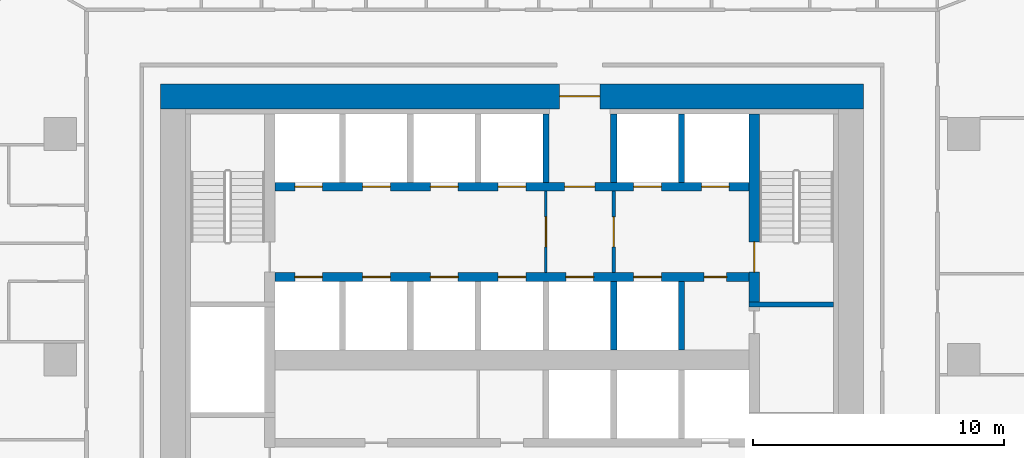
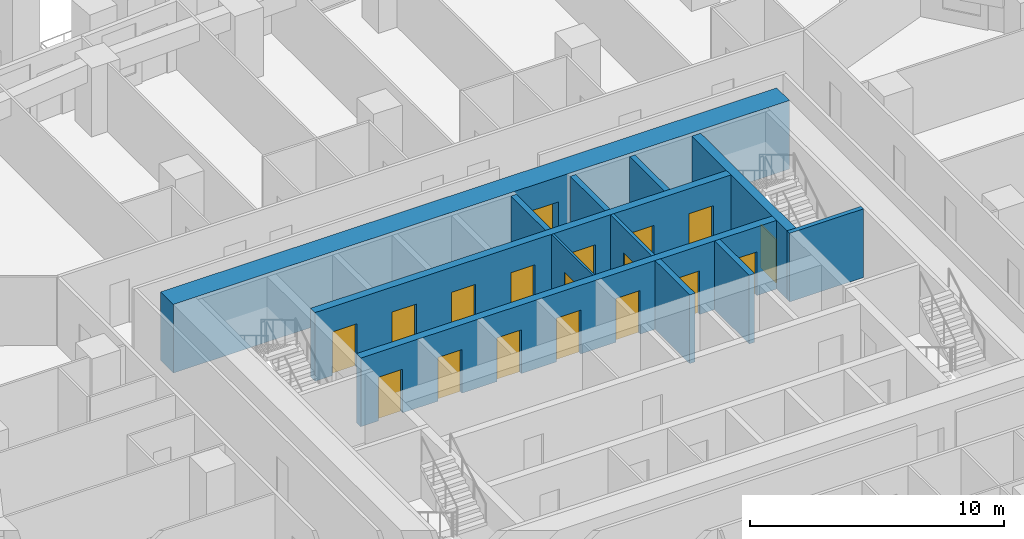
# One storey, part 16 of 24: 18 doors, 12 walls, 18 openings.
"""IFC4 building model written with IfcOpenShell, lengths in metres."""

from ifc_helpers import new_model, si_unit, direction, frame, frame_2d, origin, place, context, subcontext, project, spatial, rectangle, extrude, material, layer, layer_set, type_object, element, fill, save


model = new_model("IFC4")

# Units and contexts
model_context = context("Model", 3, precision=1e-05, world=origin(), true_north=direction((0.0, 1.0)))
body_context = subcontext(model_context, "Body", "Model", "MODEL_VIEW")
ifc_project = project(units=[si_unit("LENGTHUNIT", "METRE"), si_unit("AREAUNIT", "SQUARE_METRE"), si_unit("VOLUMEUNIT", "CUBIC_METRE"), si_unit("PLANEANGLEUNIT", "RADIAN"), si_unit("MASSUNIT", "GRAM", prefix="KILO")], contexts=[model_context])

# Site, building, storey
site_placement = place(None, origin())
site = spatial("IfcSite", under=ifc_project, at=site_placement, CompositionType="ELEMENT")
building_placement = place(site_placement, origin())
building = spatial("IfcBuilding", under=site, at=building_placement, Name="Dongbaek Canopy Tower", CompositionType="ELEMENT")
storey_placement = place(building_placement, frame((0.0, 0.0, 113.699951171875)))
storey = spatial("IfcBuildingStorey", under=building, at=storey_placement, Name="L24", CompositionType="ELEMENT", Elevation=113.699951171875)

# Wall, openings, doors
ifc_material_1 = material(Name="Concrete C60/75", Category="concrete")
ifc_layer_1 = layer(ifc_material_1, 0.35009765625)
ifc_layer_set_1 = layer_set([ifc_layer_1], Name="Core lobby wall 350 Concrete C60/75")
wall_type_1 = type_object("IfcWallType", Name="Core lobby wall 350 Concrete C60/75", PredefinedType="SHEAR", material=ifc_layer_set_1)
wall_1_placement = place(storey_placement, frame((-9.449951171875, 6.89990234375, 0.0), z_axis=(0.0, 0.0, 1.0), x_axis=(1.0, 0.0, 0.0)))
wall_1 = element("IfcWall", 1, at=wall_1_placement, inside=storey, type_object=wall_type_1, Name="Core wall", PredefinedType="SHEAR", context=body_context, shape_type="SweptSolid", body=[
    extrude(rectangle(XDim=18.89990234375, YDim=0.35009765625, at=frame_2d((9.449951171875, 0.0))), origin(), (0.0, 0.0, 1.0), 3.300048828125),
])
opening_1_placement = place(wall_1_placement, frame((0.800048828125, 0.0, 0.0)))
opening_1 = element("IfcOpeningElement", 2, at=opening_1_placement, cuts=wall_1, Name="Opening L24-D042", PredefinedType="OPENING", context=body_context, shape_type="SweptSolid", body=[
    extrude(rectangle(XDim=1.10009765625, YDim=2.10009765625, at=frame_2d((0.550048828125, 1.050048828125))), frame((0.0, 0.18505859375, 0.0), z_axis=(0.0, -1.0, 0.0), x_axis=(1.0, 0.0, 0.0)), (0.0, 0.0, 1.0), 0.3701171875),
])
opening_2_placement = place(wall_1_placement, frame((3.5, 0.0, 0.0)))
opening_2 = element("IfcOpeningElement", 3, at=opening_2_placement, cuts=wall_1, Name="Opening L24-D043", PredefinedType="OPENING", context=body_context, shape_type="SweptSolid", body=[
    extrude(rectangle(XDim=1.10009765625, YDim=2.10009765625, at=frame_2d((0.550048828125, 1.050048828125))), frame((0.0, 0.18505859375, 0.0), z_axis=(0.0, -1.0, 0.0), x_axis=(1.0, 0.0, 0.0)), (0.0, 0.0, 1.0), 0.3701171875),
])
opening_3_placement = place(wall_1_placement, frame((6.199951171875, 0.0, 0.0)))
opening_3 = element("IfcOpeningElement", 4, at=opening_3_placement, cuts=wall_1, Name="Opening L24-D044", PredefinedType="OPENING", context=body_context, shape_type="SweptSolid", body=[
    extrude(rectangle(XDim=1.10009765625, YDim=2.10009765625, at=frame_2d((0.550048828125, 1.050048828125))), frame((0.0, 0.18505859375, 0.0), z_axis=(0.0, -1.0, 0.0), x_axis=(1.0, 0.0, 0.0)), (0.0, 0.0, 1.0), 0.3701171875),
])
opening_4_placement = place(wall_1_placement, frame((8.89990234375, 0.0, 0.0)))
opening_4 = element("IfcOpeningElement", 5, at=opening_4_placement, cuts=wall_1, Name="Opening L24-D045", PredefinedType="OPENING", context=body_context, shape_type="SweptSolid", body=[
    extrude(rectangle(XDim=1.10009765625, YDim=2.10009765625, at=frame_2d((0.550048828125, 1.050048828125))), frame((0.0, 0.18505859375, 0.0), z_axis=(0.0, -1.0, 0.0), x_axis=(1.0, 0.0, 0.0)), (0.0, 0.0, 1.0), 0.3701171875),
])
opening_5_placement = place(wall_1_placement, frame((11.550048828125, 0.0, 0.0)))
opening_5 = element("IfcOpeningElement", 6, at=opening_5_placement, cuts=wall_1, Name="Opening L24-D047", PredefinedType="OPENING", context=body_context, shape_type="SweptSolid", body=[
    extrude(rectangle(XDim=1.199951171875, YDim=2.10009765625, at=frame_2d((0.60009765625, 1.050048828125))), frame((0.0, 0.18505859375, 0.0), z_axis=(0.0, -1.0, 0.0), x_axis=(1.0, 0.0, 0.0)), (0.0, 0.0, 1.0), 0.3701171875),
])
opening_6_placement = place(wall_1_placement, frame((14.300048828125, 0.0, 0.0)))
opening_6 = element("IfcOpeningElement", 7, at=opening_6_placement, cuts=wall_1, Name="Opening L24-D048", PredefinedType="OPENING", context=body_context, shape_type="SweptSolid", body=[
    extrude(rectangle(XDim=1.10009765625, YDim=2.10009765625, at=frame_2d((0.550048828125, 1.050048828125))), frame((0.0, 0.18505859375, 0.0), z_axis=(0.0, -1.0, 0.0), x_axis=(1.0, 0.0, 0.0)), (0.0, 0.0, 1.0), 0.3701171875),
])
opening_7_placement = place(wall_1_placement, frame((17.0, 0.0, 0.0)))
opening_7 = element("IfcOpeningElement", 8, at=opening_7_placement, cuts=wall_1, Name="Opening L24-D049", PredefinedType="OPENING", context=body_context, shape_type="SweptSolid", body=[
    extrude(rectangle(XDim=1.10009765625, YDim=2.10009765625, at=frame_2d((0.550048828125, 1.050048828125))), frame((0.0, 0.18505859375, 0.0), z_axis=(0.0, -1.0, 0.0), x_axis=(1.0, 0.0, 0.0)), (0.0, 0.0, 1.0), 0.3701171875),
])
ifc_material_2 = material(Name="Steel", Category="steel")
door_type_1 = type_object("IfcDoorType", Name="Fire lobby door 1200 x 2100", OperationType="SINGLE_SWING_LEFT", PredefinedType="DOOR", material=ifc_material_2)
door_1_placement = place(opening_5_placement, origin())
door_1 = element("IfcDoor", 9, at=door_1_placement, inside=storey, type_object=door_type_1, Name="Door L24-D047", OperationType="SINGLE_SWING_LEFT", OverallHeight=2.10009765625, OverallWidth=1.199951171875, PredefinedType="DOOR", context=body_context, shape_type="SweptSolid", body=[
    extrude(rectangle(XDim=1.199951171875, YDim=2.10009765625, at=frame_2d((0.60009765625, 1.050048828125))), frame((0.0, 0.02490234375, 0.0), z_axis=(0.0, -1.0, 0.0), x_axis=(1.0, 0.0, 0.0)), (0.0, 0.0, 1.0), 0.050048828125),
])
fill(opening_5, door_1)
ifc_material_3 = material(Name="Stainless steel", Category="steel")
door_type_2 = type_object("IfcDoorType", Name="Lift landing door 1100 x 2100", OperationType="DOUBLE_DOOR_SLIDING", PredefinedType="DOOR", material=ifc_material_3)
door_2_placement = place(opening_1_placement, origin())
door_2 = element("IfcDoor", 10, at=door_2_placement, inside=storey, type_object=door_type_2, Name="Landing door LR1", OperationType="DOUBLE_DOOR_SLIDING", OverallHeight=2.10009765625, OverallWidth=1.10009765625, PredefinedType="DOOR", context=body_context, shape_type="SweptSolid", body=[
    extrude(rectangle(XDim=1.10009765625, YDim=2.10009765625, at=frame_2d((0.550048828125, 1.050048828125))), frame((0.0, 0.02490234375, 0.0), z_axis=(0.0, -1.0, 0.0), x_axis=(1.0, 0.0, 0.0)), (0.0, 0.0, 1.0), 0.050048828125),
])
fill(opening_1, door_2)
door_3_placement = place(opening_2_placement, origin())
door_3 = element("IfcDoor", 11, at=door_3_placement, inside=storey, type_object=door_type_2, Name="Landing door LR2", OperationType="DOUBLE_DOOR_SLIDING", OverallHeight=2.10009765625, OverallWidth=1.10009765625, PredefinedType="DOOR", context=body_context, shape_type="SweptSolid", body=[
    extrude(rectangle(XDim=1.10009765625, YDim=2.10009765625, at=frame_2d((0.550048828125, 1.050048828125))), frame((0.0, 0.02490234375, 0.0), z_axis=(0.0, -1.0, 0.0), x_axis=(1.0, 0.0, 0.0)), (0.0, 0.0, 1.0), 0.050048828125),
])
fill(opening_2, door_3)
door_4_placement = place(opening_3_placement, origin())
door_4 = element("IfcDoor", 12, at=door_4_placement, inside=storey, type_object=door_type_2, Name="Landing door LR3", OperationType="DOUBLE_DOOR_SLIDING", OverallHeight=2.10009765625, OverallWidth=1.10009765625, PredefinedType="DOOR", context=body_context, shape_type="SweptSolid", body=[
    extrude(rectangle(XDim=1.10009765625, YDim=2.10009765625, at=frame_2d((0.550048828125, 1.050048828125))), frame((0.0, 0.02490234375, 0.0), z_axis=(0.0, -1.0, 0.0), x_axis=(1.0, 0.0, 0.0)), (0.0, 0.0, 1.0), 0.050048828125),
])
fill(opening_3, door_4)
door_5_placement = place(opening_4_placement, origin())
door_5 = element("IfcDoor", 13, at=door_5_placement, inside=storey, type_object=door_type_2, Name="Landing door LR4", OperationType="DOUBLE_DOOR_SLIDING", OverallHeight=2.10009765625, OverallWidth=1.10009765625, PredefinedType="DOOR", context=body_context, shape_type="SweptSolid", body=[
    extrude(rectangle(XDim=1.10009765625, YDim=2.10009765625, at=frame_2d((0.550048828125, 1.050048828125))), frame((0.0, 0.02490234375, 0.0), z_axis=(0.0, -1.0, 0.0), x_axis=(1.0, 0.0, 0.0)), (0.0, 0.0, 1.0), 0.050048828125),
])
fill(opening_4, door_5)
door_6_placement = place(opening_6_placement, origin())
door_6 = element("IfcDoor", 14, at=door_6_placement, inside=storey, type_object=door_type_2, Name="Landing door FF1", OperationType="DOUBLE_DOOR_SLIDING", OverallHeight=2.10009765625, OverallWidth=1.10009765625, PredefinedType="DOOR", context=body_context, shape_type="SweptSolid", body=[
    extrude(rectangle(XDim=1.10009765625, YDim=2.10009765625, at=frame_2d((0.550048828125, 1.050048828125))), frame((0.0, 0.02490234375, 0.0), z_axis=(0.0, -1.0, 0.0), x_axis=(1.0, 0.0, 0.0)), (0.0, 0.0, 1.0), 0.050048828125),
])
fill(opening_6, door_6)
door_7_placement = place(opening_7_placement, origin())
door_7 = element("IfcDoor", 15, at=door_7_placement, inside=storey, type_object=door_type_2, Name="Landing door FF2", OperationType="DOUBLE_DOOR_SLIDING", OverallHeight=2.10009765625, OverallWidth=1.10009765625, PredefinedType="DOOR", context=body_context, shape_type="SweptSolid", body=[
    extrude(rectangle(XDim=1.10009765625, YDim=2.10009765625, at=frame_2d((0.550048828125, 1.050048828125))), frame((0.0, 0.02490234375, 0.0), z_axis=(0.0, -1.0, 0.0), x_axis=(1.0, 0.0, 0.0)), (0.0, 0.0, 1.0), 0.050048828125),
])
fill(opening_7, door_7)

wall_2_placement = place(storey_placement, frame((9.449951171875, 3.300048828125, 0.0), z_axis=(0.0, 0.0, 1.0), x_axis=(-1.0, 0.0, 0.0)))
wall_2 = element("IfcWall", 16, at=wall_2_placement, inside=storey, type_object=wall_type_1, Name="Core wall", PredefinedType="SHEAR", context=body_context, shape_type="SweptSolid", body=[
    extrude(rectangle(XDim=18.89990234375, YDim=0.35009765625, at=frame_2d((9.449951171875, 0.0))), origin(), (0.0, 0.0, 1.0), 3.300048828125),
])
opening_8_placement = place(wall_2_placement, frame((17.0, 0.0, 0.0)))
opening_8 = element("IfcOpeningElement", 17, at=opening_8_placement, cuts=wall_2, Name="Opening L24-D050", PredefinedType="OPENING", context=body_context, shape_type="SweptSolid", body=[
    extrude(rectangle(XDim=1.10009765625, YDim=2.10009765625, at=frame_2d((0.550048828125, 1.050048828125))), frame((0.0, 0.18505859375, 0.0), z_axis=(0.0, -1.0, 0.0), x_axis=(1.0, 0.0, 0.0)), (0.0, 0.0, 1.0), 0.3701171875),
])
opening_9_placement = place(wall_2_placement, frame((14.300048828125, 0.0, 0.0)))
opening_9 = element("IfcOpeningElement", 18, at=opening_9_placement, cuts=wall_2, Name="Opening L24-D051", PredefinedType="OPENING", context=body_context, shape_type="SweptSolid", body=[
    extrude(rectangle(XDim=1.10009765625, YDim=2.10009765625, at=frame_2d((0.550048828125, 1.050048828125))), frame((0.0, 0.18505859375, 0.0), z_axis=(0.0, -1.0, 0.0), x_axis=(1.0, 0.0, 0.0)), (0.0, 0.0, 1.0), 0.3701171875),
])
opening_10_placement = place(wall_2_placement, frame((11.60009765625, 0.0, 0.0)))
opening_10 = element("IfcOpeningElement", 19, at=opening_10_placement, cuts=wall_2, Name="Opening L24-D052", PredefinedType="OPENING", context=body_context, shape_type="SweptSolid", body=[
    extrude(rectangle(XDim=1.10009765625, YDim=2.10009765625, at=frame_2d((0.550048828125, 1.050048828125))), frame((0.0, 0.18505859375, 0.0), z_axis=(0.0, -1.0, 0.0), x_axis=(1.0, 0.0, 0.0)), (0.0, 0.0, 1.0), 0.3701171875),
])
opening_11_placement = place(wall_2_placement, frame((8.89990234375, 0.0, 0.0)))
opening_11 = element("IfcOpeningElement", 20, at=opening_11_placement, cuts=wall_2, Name="Opening L24-D053", PredefinedType="OPENING", context=body_context, shape_type="SweptSolid", body=[
    extrude(rectangle(XDim=1.10009765625, YDim=2.10009765625, at=frame_2d((0.550048828125, 1.050048828125))), frame((0.0, 0.18505859375, 0.0), z_axis=(0.0, -1.0, 0.0), x_axis=(1.0, 0.0, 0.0)), (0.0, 0.0, 1.0), 0.3701171875),
])
opening_12_placement = place(wall_2_placement, frame((6.199951171875, 0.0, 0.0)))
opening_12 = element("IfcOpeningElement", 21, at=opening_12_placement, cuts=wall_2, Name="Opening L24-D054", PredefinedType="OPENING", context=body_context, shape_type="SweptSolid", body=[
    extrude(rectangle(XDim=1.10009765625, YDim=2.10009765625, at=frame_2d((0.550048828125, 1.050048828125))), frame((0.0, 0.18505859375, 0.0), z_axis=(0.0, -1.0, 0.0), x_axis=(1.0, 0.0, 0.0)), (0.0, 0.0, 1.0), 0.3701171875),
])
opening_13_placement = place(wall_2_placement, frame((3.5, 0.0, 0.0)))
opening_13 = element("IfcOpeningElement", 22, at=opening_13_placement, cuts=wall_2, Name="Opening L24-D055", PredefinedType="OPENING", context=body_context, shape_type="SweptSolid", body=[
    extrude(rectangle(XDim=1.10009765625, YDim=2.10009765625, at=frame_2d((0.550048828125, 1.050048828125))), frame((0.0, 0.18505859375, 0.0), z_axis=(0.0, -1.0, 0.0), x_axis=(1.0, 0.0, 0.0)), (0.0, 0.0, 1.0), 0.3701171875),
])
opening_14_placement = place(wall_2_placement, frame((0.89990234375, 0.0, 0.0)))
opening_14 = element("IfcOpeningElement", 23, at=opening_14_placement, cuts=wall_2, Name="Opening L24-D056", PredefinedType="OPENING", context=body_context, shape_type="SweptSolid", body=[
    extrude(rectangle(XDim=0.89990234375, YDim=2.10009765625, at=frame_2d((0.449951171875, 1.050048828125))), frame((0.0, 0.18505859375, 0.0), z_axis=(0.0, -1.0, 0.0), x_axis=(1.0, 0.0, 0.0)), (0.0, 0.0, 1.0), 0.3701171875),
])
ifc_material_4 = material(Name="Steel", Category="steel")
door_type_3 = type_object("IfcDoorType", Name="Core room door 900 x 2100", OperationType="SINGLE_SWING_LEFT", PredefinedType="DOOR", material=ifc_material_4)
door_8_placement = place(opening_14_placement, origin())
door_8 = element("IfcDoor", 24, at=door_8_placement, inside=storey, type_object=door_type_3, Name="Door L24-D056", OperationType="SINGLE_SWING_LEFT", OverallHeight=2.10009765625, OverallWidth=0.89990234375, PredefinedType="DOOR", context=body_context, shape_type="SweptSolid", body=[
    extrude(rectangle(XDim=0.89990234375, YDim=2.10009765625, at=frame_2d((0.449951171875, 1.050048828125))), frame((0.0, 0.02490234375, 0.0), z_axis=(0.0, -1.0, 0.0), x_axis=(1.0, 0.0, 0.0)), (0.0, 0.0, 1.0), 0.050048828125),
])
fill(opening_14, door_8)
door_9_placement = place(opening_8_placement, origin())
door_9 = element("IfcDoor", 25, at=door_9_placement, inside=storey, type_object=door_type_2, Name="Landing door LR5", OperationType="DOUBLE_DOOR_SLIDING", OverallHeight=2.10009765625, OverallWidth=1.10009765625, PredefinedType="DOOR", context=body_context, shape_type="SweptSolid", body=[
    extrude(rectangle(XDim=1.10009765625, YDim=2.10009765625, at=frame_2d((0.550048828125, 1.050048828125))), frame((0.0, 0.02490234375, 0.0), z_axis=(0.0, -1.0, 0.0), x_axis=(1.0, 0.0, 0.0)), (0.0, 0.0, 1.0), 0.050048828125),
])
fill(opening_8, door_9)
door_10_placement = place(opening_9_placement, origin())
door_10 = element("IfcDoor", 26, at=door_10_placement, inside=storey, type_object=door_type_2, Name="Landing door LR6", OperationType="DOUBLE_DOOR_SLIDING", OverallHeight=2.10009765625, OverallWidth=1.10009765625, PredefinedType="DOOR", context=body_context, shape_type="SweptSolid", body=[
    extrude(rectangle(XDim=1.10009765625, YDim=2.10009765625, at=frame_2d((0.550048828125, 1.050048828125))), frame((0.0, 0.02490234375, 0.0), z_axis=(0.0, -1.0, 0.0), x_axis=(1.0, 0.0, 0.0)), (0.0, 0.0, 1.0), 0.050048828125),
])
fill(opening_9, door_10)
door_11_placement = place(opening_10_placement, origin())
door_11 = element("IfcDoor", 27, at=door_11_placement, inside=storey, type_object=door_type_2, Name="Landing door LR7", OperationType="DOUBLE_DOOR_SLIDING", OverallHeight=2.10009765625, OverallWidth=1.10009765625, PredefinedType="DOOR", context=body_context, shape_type="SweptSolid", body=[
    extrude(rectangle(XDim=1.10009765625, YDim=2.10009765625, at=frame_2d((0.550048828125, 1.050048828125))), frame((0.0, 0.02490234375, 0.0), z_axis=(0.0, -1.0, 0.0), x_axis=(1.0, 0.0, 0.0)), (0.0, 0.0, 1.0), 0.050048828125),
])
fill(opening_10, door_11)
door_12_placement = place(opening_11_placement, origin())
door_12 = element("IfcDoor", 28, at=door_12_placement, inside=storey, type_object=door_type_2, Name="Landing door LR8", OperationType="DOUBLE_DOOR_SLIDING", OverallHeight=2.10009765625, OverallWidth=1.10009765625, PredefinedType="DOOR", context=body_context, shape_type="SweptSolid", body=[
    extrude(rectangle(XDim=1.10009765625, YDim=2.10009765625, at=frame_2d((0.550048828125, 1.050048828125))), frame((0.0, 0.02490234375, 0.0), z_axis=(0.0, -1.0, 0.0), x_axis=(1.0, 0.0, 0.0)), (0.0, 0.0, 1.0), 0.050048828125),
])
fill(opening_11, door_12)
door_13_placement = place(opening_12_placement, origin())
door_13 = element("IfcDoor", 29, at=door_13_placement, inside=storey, type_object=door_type_2, Name="Landing door SV1", OperationType="DOUBLE_DOOR_SLIDING", OverallHeight=2.10009765625, OverallWidth=1.10009765625, PredefinedType="DOOR", context=body_context, shape_type="SweptSolid", body=[
    extrude(rectangle(XDim=1.10009765625, YDim=2.10009765625, at=frame_2d((0.550048828125, 1.050048828125))), frame((0.0, 0.02490234375, 0.0), z_axis=(0.0, -1.0, 0.0), x_axis=(1.0, 0.0, 0.0)), (0.0, 0.0, 1.0), 0.050048828125),
])
fill(opening_12, door_13)
door_14_placement = place(opening_13_placement, origin())
door_14 = element("IfcDoor", 30, at=door_14_placement, inside=storey, type_object=door_type_2, Name="Landing door FF3", OperationType="DOUBLE_DOOR_SLIDING", OverallHeight=2.10009765625, OverallWidth=1.10009765625, PredefinedType="DOOR", context=body_context, shape_type="SweptSolid", body=[
    extrude(rectangle(XDim=1.10009765625, YDim=2.10009765625, at=frame_2d((0.550048828125, 1.050048828125))), frame((0.0, 0.02490234375, 0.0), z_axis=(0.0, -1.0, 0.0), x_axis=(1.0, 0.0, 0.0)), (0.0, 0.0, 1.0), 0.050048828125),
])
fill(opening_13, door_14)

# Wall, opening, door
ifc_material_5 = material(Name="Concrete C60/75", Category="concrete")
ifc_layer_2 = layer(ifc_material_5, 1.0)
ifc_layer_set_2 = layer_set([ifc_layer_2], Name="Core outer wall 1000 Concrete C60/75")
wall_type_2 = type_object("IfcWallType", Name="Core outer wall 1000 Concrete C60/75", PredefinedType="SHEAR", material=ifc_layer_set_2)
wall_3_placement = place(storey_placement, frame((-14.0, 10.5, 0.0), z_axis=(0.0, 0.0, 1.0), x_axis=(1.0, 0.0, 0.0)))
wall_3 = element("IfcWall", 31, at=wall_3_placement, inside=storey, type_object=wall_type_2, Name="Core wall", PredefinedType="SHEAR", context=body_context, shape_type="SweptSolid", body=[
    extrude(rectangle(XDim=28.0, YDim=1.0, at=frame_2d((14.0, 0.0))), origin(), (0.0, 0.0, 1.0), 3.300048828125),
])
opening_15_placement = place(wall_3_placement, frame((15.89990234375, 0.0, 0.0)))
opening_15 = element("IfcOpeningElement", 32, at=opening_15_placement, cuts=wall_3, Name="Opening L24-D046", PredefinedType="OPENING", context=body_context, shape_type="SweptSolid", body=[
    extrude(rectangle(XDim=1.60009765625, YDim=2.10009765625, at=frame_2d((0.800048828125, 1.050048828125))), frame((0.0, 0.510009765625, 0.0), z_axis=(0.0, -1.0, 0.0), x_axis=(1.0, 0.0, 0.0)), (0.0, 0.0, 1.0), 1.02001953125),
])
ifc_material_6 = material(Name="Steel", Category="steel")
door_type_4 = type_object("IfcDoorType", Name="Core exit door 1600 x 2100", OperationType="DOUBLE_DOOR_SINGLE_SWING", PredefinedType="DOOR", material=ifc_material_6)
door_15_placement = place(opening_15_placement, origin())
door_15 = element("IfcDoor", 33, at=door_15_placement, inside=storey, type_object=door_type_4, Name="Core exit door", OperationType="DOUBLE_DOOR_SINGLE_SWING", OverallHeight=2.10009765625, OverallWidth=1.60009765625, PredefinedType="DOOR", context=body_context, shape_type="SweptSolid", body=[
    extrude(rectangle(XDim=1.60009765625, YDim=2.10009765625, at=frame_2d((0.800048828125, 1.050048828125))), frame((0.0, 0.02490234375, 0.0), z_axis=(0.0, -1.0, 0.0), x_axis=(1.0, 0.0, 0.0)), (0.0, 0.0, 1.0), 0.050048828125),
])
fill(opening_15, door_15)

ifc_material_7 = material(Name="Gypsum board partition, steel stud, 2 x 15 mm fire board", Category="steel")
ifc_layer_3 = layer(ifc_material_7, 0.14990234375)
ifc_layer_set_3 = layer_set([ifc_layer_3], Name="Fire-rated partition 150 gypsum board")
wall_type_3 = type_object("IfcWallType", Name="Fire-rated partition 150 gypsum board", PredefinedType="PARTITIONING", material=ifc_layer_set_3)
wall_4_placement = place(storey_placement, frame((4.050048828125, 6.72509765625, 0.0), z_axis=(0.0, 0.0, 1.0), x_axis=(0.0, -1.0, 0.0)))
wall_4 = element("IfcWall", 34, at=wall_4_placement, inside=storey, type_object=wall_type_3, Name="Fire lobby partition", PredefinedType="PARTITIONING", context=body_context, shape_type="SweptSolid", body=[
    extrude(rectangle(XDim=3.25, YDim=0.14990234375, at=frame_2d((1.625, 0.0))), origin(), (0.0, 0.0, 1.0), 3.300048828125),
])
opening_16_placement = place(wall_4_placement, frame((1.02490234375, 0.0, 0.0)))
opening_16 = element("IfcOpeningElement", 35, at=opening_16_placement, cuts=wall_4, Name="Opening L24-D070", PredefinedType="OPENING", context=body_context, shape_type="SweptSolid", body=[
    extrude(rectangle(XDim=1.199951171875, YDim=2.10009765625, at=frame_2d((0.60009765625, 1.050048828125))), frame((0.0, 0.0849609375, 0.0), z_axis=(0.0, -1.0, 0.0), x_axis=(1.0, 0.0, 0.0)), (0.0, 0.0, 1.0), 0.169921875),
])
door_16_placement = place(opening_16_placement, origin())
door_16 = element("IfcDoor", 36, at=door_16_placement, inside=storey, type_object=door_type_1, Name="Door L24-D070", OperationType="SINGLE_SWING_RIGHT", OverallHeight=2.10009765625, OverallWidth=1.199951171875, PredefinedType="DOOR", context=body_context, shape_type="SweptSolid", body=[
    extrude(rectangle(XDim=1.199951171875, YDim=2.10009765625, at=frame_2d((0.60009765625, 1.050048828125))), frame((0.0, 0.02490234375, 0.0), z_axis=(0.0, -1.0, 0.0), x_axis=(1.0, 0.0, 0.0)), (0.0, 0.0, 1.0), 0.050048828125),
])
fill(opening_16, door_16)

# Walls
ifc_material_8 = material(Name="Concrete C40/50", Category="concrete")
ifc_layer_4 = layer(ifc_material_8, 0.25)
ifc_layer_set_4 = layer_set([ifc_layer_4], Name="Lift shaft wall 250 Concrete C40/50")
wall_type_4 = type_object("IfcWallType", Name="Lift shaft wall 250 Concrete C40/50", PredefinedType="SOLIDWALL", material=ifc_layer_set_4)
for number, where, z_axis, x_axis, name in (
    (37, (6.75, 0.39990234375, 0.0), (0.0, 0.0, 1.0), (0.0, 1.0, 0.0), "Lift shaft wall"),
    (38, (6.75, 7.074951171875, 0.0), (0.0, 0.0, 1.0), (0.0, 1.0, 0.0), "Lift shaft wall"),
    (39, (4.050048828125, 0.39990234375, 0.0), (0.0, 0.0, 1.0), (0.0, 1.0, 0.0), "Lift shaft wall"),
    (40, (4.050048828125, 7.074951171875, 0.0), (0.0, 0.0, 1.0), (0.0, 1.0, 0.0), "Lift shaft wall"),
    (41, (1.35009765625, 7.074951171875, 0.0), (0.0, 0.0, 1.0), (0.0, 1.0, 0.0), "Lift shaft wall"),
):
    element("IfcWall", number, at=place(storey_placement, frame(where, z_axis=z_axis, x_axis=x_axis)), inside=storey, type_object=wall_type_4, Name=name, PredefinedType="SOLIDWALL", context=body_context, shape_type="SweptSolid", body=[
        extrude(rectangle(XDim=2.72509765625, YDim=0.25, at=frame_2d((1.362548828125, 0.0))), origin(), (0.0, 0.0, 1.0), 3.300048828125),
    ])

# Wall, opening, door
ifc_material_9 = material(Name="Gypsum board partition, steel stud, 2 x 12.5 mm board", Category="steel")
ifc_layer_5 = layer(ifc_material_9, 0.10009765625)
ifc_layer_set_5 = layer_set([ifc_layer_5], Name="Partition 100 gypsum board")
wall_type_5 = type_object("IfcWallType", Name="Partition 100 gypsum board", PredefinedType="PARTITIONING", material=ifc_layer_set_5)
wall_5_placement = place(storey_placement, frame((1.35009765625, 6.72509765625, 0.0), z_axis=(0.0, 0.0, 1.0), x_axis=(0.0, -1.0, 0.0)))
wall_5 = element("IfcWall", 42, at=wall_5_placement, inside=storey, type_object=wall_type_5, Name="Core partition", PredefinedType="PARTITIONING", context=body_context, shape_type="SweptSolid", body=[
    extrude(rectangle(XDim=3.25, YDim=0.10009765625, at=frame_2d((1.625, 0.0))), origin(), (0.0, 0.0, 1.0), 3.300048828125),
])
opening_17_placement = place(wall_5_placement, frame((1.02490234375, 0.0, 0.0)))
opening_17 = element("IfcOpeningElement", 43, at=opening_17_placement, cuts=wall_5, Name="Opening L24-D069", PredefinedType="OPENING", context=body_context, shape_type="SweptSolid", body=[
    extrude(rectangle(XDim=1.199951171875, YDim=2.10009765625, at=frame_2d((0.60009765625, 1.050048828125))), frame((0.0, 0.06005859375, 0.0), z_axis=(0.0, -1.0, 0.0), x_axis=(1.0, 0.0, 0.0)), (0.0, 0.0, 1.0), 0.1201171875),
])
door_17_placement = place(opening_17_placement, origin())
door_17 = element("IfcDoor", 44, at=door_17_placement, inside=storey, type_object=door_type_1, Name="Door L24-D069", OperationType="SINGLE_SWING_LEFT", OverallHeight=2.10009765625, OverallWidth=1.199951171875, PredefinedType="DOOR", context=body_context, shape_type="SweptSolid", body=[
    extrude(rectangle(XDim=1.199951171875, YDim=2.10009765625, at=frame_2d((0.60009765625, 1.050048828125))), frame((0.0, 0.02490234375, 0.0), z_axis=(0.0, -1.0, 0.0), x_axis=(1.0, 0.0, 0.0)), (0.0, 0.0, 1.0), 0.050048828125),
])
fill(opening_17, door_17)

# Wall
ifc_material_10 = material(Name="Concrete C60/75", Category="concrete")
ifc_layer_6 = layer(ifc_material_10, 0.199951171875)
ifc_layer_set_6 = layer_set([ifc_layer_6], Name="Riser wall 200 Concrete C60/75")
wall_type_6 = type_object("IfcWallType", Name="Riser wall 200 Concrete C60/75", PredefinedType="SHEAR", material=ifc_layer_set_6)
wall_6_placement = place(storey_placement, frame((9.449951171875, 2.199951171875, 0.0), z_axis=(0.0, 0.0, 1.0), x_axis=(1.0, 0.0, 0.0)))
element("IfcWall", 45, at=wall_6_placement, inside=storey, type_object=wall_type_6, Name="Riser wall", PredefinedType="SHEAR", context=body_context, shape_type="SweptSolid", body=[
    extrude(rectangle(XDim=3.35009765625, YDim=0.199951171875, at=frame_2d((1.675048828125, 0.0))), origin(), (0.0, 0.0, 1.0), 3.300048828125),
])

# Wall, opening, door
ifc_material_11 = material(Name="Concrete C60/75", Category="concrete")
ifc_layer_7 = layer(ifc_material_11, 0.39990234375)
ifc_layer_set_7 = layer_set([ifc_layer_7], Name="Stair wall 400 Concrete C60/75")
wall_type_7 = type_object("IfcWallType", Name="Stair wall 400 Concrete C60/75", PredefinedType="SHEAR", material=ifc_layer_set_7)
wall_7_placement = place(storey_placement, frame((9.64990234375, 9.800048828125, 0.0), z_axis=(0.0, 0.0, 1.0), x_axis=(0.0, -1.0, 0.0)))
wall_7 = element("IfcWall", 46, at=wall_7_placement, inside=storey, type_object=wall_type_7, Name="Stair wall", PredefinedType="SHEAR", context=body_context, shape_type="SweptSolid", body=[
    extrude(rectangle(XDim=7.5, YDim=0.39990234375, at=frame_2d((3.75, 0.0))), origin(), (0.0, 0.0, 1.0), 3.300048828125),
])
opening_18_placement = place(wall_7_placement, frame((5.10009765625, 0.0, 0.0)))
opening_18 = element("IfcOpeningElement", 47, at=opening_18_placement, cuts=wall_7, Name="Opening L24-D065", PredefinedType="OPENING", context=body_context, shape_type="SweptSolid", body=[
    extrude(rectangle(XDim=1.199951171875, YDim=2.10009765625, at=frame_2d((0.60009765625, 1.050048828125))), frame((0.0, 0.2099609375, 0.0), z_axis=(0.0, -1.0, 0.0), x_axis=(1.0, 0.0, 0.0)), (0.0, 0.0, 1.0), 0.419921875),
])
ifc_material_12 = material(Name="Steel", Category="steel")
door_type_5 = type_object("IfcDoorType", Name="Stair door 1200 x 2100", OperationType="SINGLE_SWING_LEFT", PredefinedType="DOOR", material=ifc_material_12)
door_18_placement = place(opening_18_placement, origin())
door_18 = element("IfcDoor", 48, at=door_18_placement, inside=storey, type_object=door_type_5, Name="Stair A door", OperationType="SINGLE_SWING_LEFT", OverallHeight=2.10009765625, OverallWidth=1.199951171875, PredefinedType="DOOR", context=body_context, shape_type="SweptSolid", body=[
    extrude(rectangle(XDim=1.199951171875, YDim=2.10009765625, at=frame_2d((0.60009765625, 1.050048828125))), frame((0.0, 0.02490234375, 0.0), z_axis=(0.0, -1.0, 0.0), x_axis=(1.0, 0.0, 0.0)), (0.0, 0.0, 1.0), 0.050048828125),
])
fill(opening_18, door_18)

save(model, "model.ifc")
